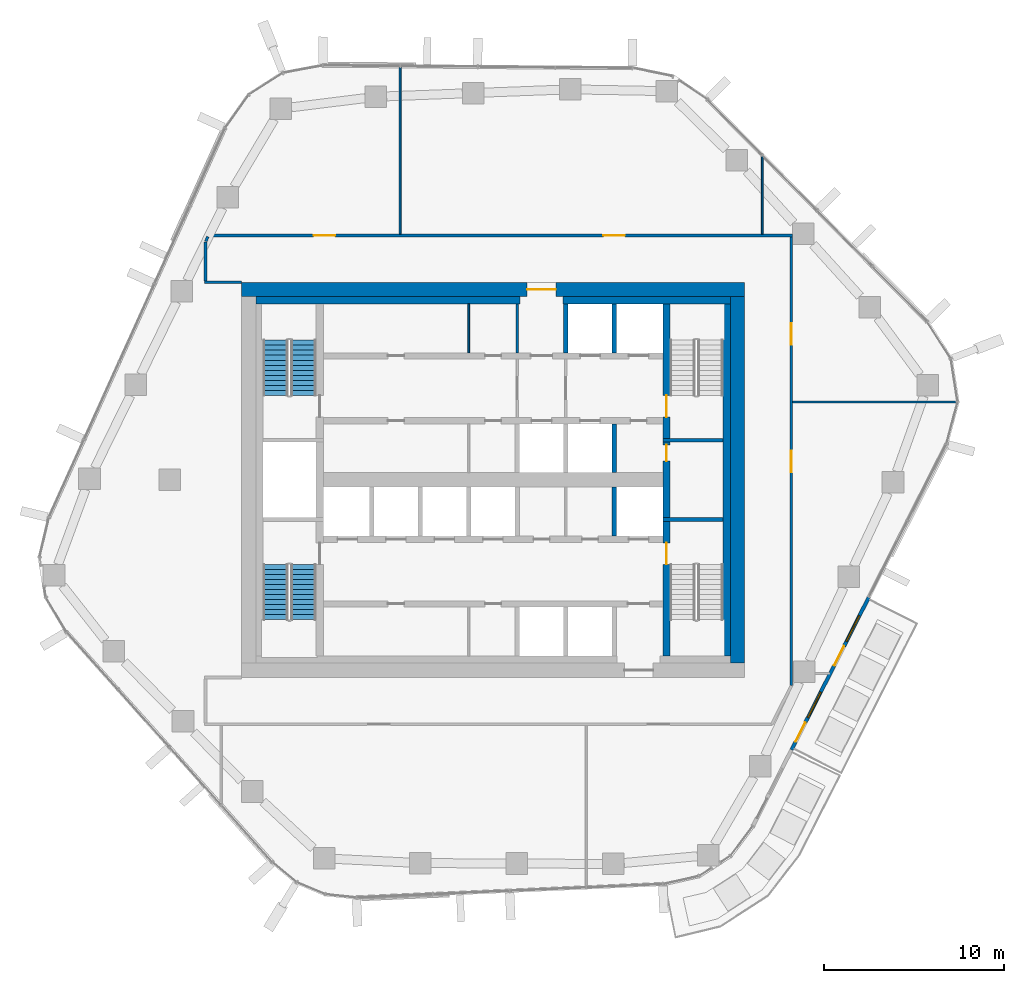
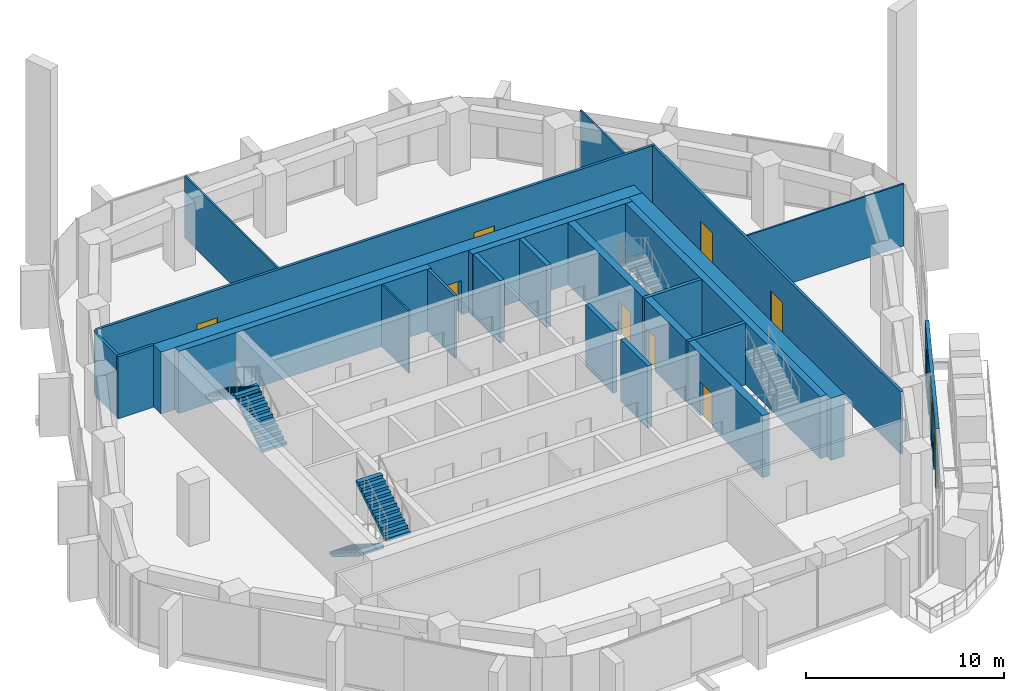
# One storey, part 12 of 18: 25 walls, 10 doors, 4 stair flights, 2 windows, 12 openings, 2 elements without a shape of their own.
"""IFC4 building model written with IfcOpenShell, lengths in metres."""

from ifc_helpers import new_model, si_unit, direction, frame, frame_2d, origin, place, context, subcontext, project, spatial, polyline, rectangle, outline, extrude, material, layer, layer_set, type_object, element, fill, aggregate, save


model = new_model("IFC4")

# Units and contexts
model_context = context("Model", 3, precision=1e-05, world=origin(), true_north=direction((0.0, 1.0)))
body_context = subcontext(model_context, "Body", "Model", "MODEL_VIEW")
ifc_project = project(units=[si_unit("LENGTHUNIT", "METRE"), si_unit("AREAUNIT", "SQUARE_METRE"), si_unit("VOLUMEUNIT", "CUBIC_METRE"), si_unit("PLANEANGLEUNIT", "RADIAN"), si_unit("MASSUNIT", "GRAM", prefix="KILO")], contexts=[model_context])

# Site, building, storey
site_placement = place(None, origin())
site = spatial("IfcSite", under=ifc_project, at=site_placement, CompositionType="ELEMENT")
building_placement = place(site_placement, origin())
building = spatial("IfcBuilding", under=site, at=building_placement, Name="Dongbaek Canopy Tower", CompositionType="ELEMENT")
storey_placement = place(building_placement, frame((0.0, 0.0, 171.199951171875)))
storey = spatial("IfcBuildingStorey", under=building, at=storey_placement, Name="L37", CompositionType="ELEMENT", Elevation=171.199951171875)

# Wall, opening, door
ifc_material_1 = material(Name="Concrete C70/85", Category="concrete")
ifc_layer_1 = layer(ifc_material_1, 0.800048828125)
ifc_layer_set_1 = layer_set([ifc_layer_1], Name="Core outer wall 800 Concrete C70/85")
wall_type_1 = type_object("IfcWallType", Name="Core outer wall 800 Concrete C70/85", PredefinedType="SHEAR", material=ifc_layer_set_1)
wall_1_placement = place(storey_placement, frame((-14.0, 10.60009765625, 0.0), z_axis=(0.0, 0.0, 1.0), x_axis=(1.0, 0.0, 0.0)))
wall_1 = element("IfcWall", 1, at=wall_1_placement, inside=storey, type_object=wall_type_1, Name="Core wall", PredefinedType="SHEAR", context=body_context, shape_type="SweptSolid", body=[
    extrude(rectangle(XDim=28.0, YDim=0.800048828125, at=frame_2d((14.0, 0.0))), origin(), (0.0, 0.0, 1.0), 3.820068359375),
])
opening_1_placement = place(wall_1_placement, frame((15.89990234375, 0.0, 0.0)))
opening_1 = element("IfcOpeningElement", 2, at=opening_1_placement, cuts=wall_1, Name="Opening L37-D008", PredefinedType="OPENING", context=body_context, shape_type="SweptSolid", body=[
    extrude(rectangle(XDim=1.60009765625, YDim=2.10009765625, at=frame_2d((0.800048828125, 1.050048828125))), frame((0.0, 0.409912109375, 0.0), z_axis=(0.0, -1.0, 0.0), x_axis=(1.0, 0.0, 0.0)), (0.0, 0.0, 1.0), 0.820068359375),
])
ifc_material_2 = material(Name="Steel", Category="steel")
door_type_1 = type_object("IfcDoorType", Name="Core exit door 1600 x 2100", OperationType="DOUBLE_DOOR_SINGLE_SWING", PredefinedType="DOOR", material=ifc_material_2)
door_1_placement = place(opening_1_placement, origin())
door_1 = element("IfcDoor", 3, at=door_1_placement, inside=storey, type_object=door_type_1, Name="Core exit door", OperationType="DOUBLE_DOOR_SINGLE_SWING", OverallHeight=2.10009765625, OverallWidth=1.60009765625, PredefinedType="DOOR", context=body_context, shape_type="SweptSolid", body=[
    extrude(rectangle(XDim=1.60009765625, YDim=2.10009765625, at=frame_2d((0.800048828125, 1.050048828125))), frame((0.0, 0.02490234375, 0.0), z_axis=(0.0, -1.0, 0.0), x_axis=(1.0, 0.0, 0.0)), (0.0, 0.0, 1.0), 0.050048828125),
])
fill(opening_1, door_1)

# Walls
wall_2_placement = place(storey_placement, frame((13.60009765625, 10.199951171875, 0.0), z_axis=(0.0, 0.0, 1.0), x_axis=(0.0, -1.0, 0.0)))
element("IfcWall", 4, at=wall_2_placement, inside=storey, type_object=wall_type_1, Name="Core wall", PredefinedType="SHEAR", context=body_context, shape_type="SweptSolid", body=[
    extrude(rectangle(XDim=20.39990234375, YDim=0.800048828125, at=frame_2d((10.199951171875, 0.0))), origin(), (0.0, 0.0, 1.0), 3.820068359375),
])
ifc_material_3 = material(Name="Concrete C60/75", Category="concrete")
ifc_layer_2 = layer(ifc_material_3, 0.39990234375)
ifc_layer_set_2 = layer_set([ifc_layer_2], Name="Core wall lining 400 Concrete C60/75")
wall_type_2 = type_object("IfcWallType", Name="Core wall lining 400 Concrete C60/75", PredefinedType="SHEAR", material=ifc_layer_set_2)
wall_3_placement = place(storey_placement, frame((-13.199951171875, 10.0, 0.0), z_axis=(0.0, 0.0, 1.0), x_axis=(1.0, 0.0, 0.0)))
element("IfcWall", 5, at=wall_3_placement, inside=storey, type_object=wall_type_2, Name="Core wall lining", PredefinedType="SHEAR", context=body_context, shape_type="SweptSolid", body=[
    extrude(rectangle(XDim=14.699951171875, YDim=0.39990234375, at=frame_2d((7.35009765625, 0.0))), origin(), (0.0, 0.0, 1.0), 3.820068359375),
])
wall_4_placement = place(storey_placement, frame((3.89990234375, 10.0, 0.0), z_axis=(0.0, 0.0, 1.0), x_axis=(1.0, 0.0, 0.0)))
element("IfcWall", 6, at=wall_4_placement, inside=storey, type_object=wall_type_2, Name="Core wall lining", PredefinedType="SHEAR", context=body_context, shape_type="SweptSolid", body=[
    extrude(rectangle(XDim=9.300048828125, YDim=0.39990234375, at=frame_2d((4.64990234375, 0.0))), origin(), (0.0, 0.0, 1.0), 3.820068359375),
])
wall_5_placement = place(storey_placement, frame((13.0, 9.800048828125, 0.0), z_axis=(0.0, 0.0, 1.0), x_axis=(0.0, -1.0, 0.0)))
element("IfcWall", 7, at=wall_5_placement, inside=storey, type_object=wall_type_2, Name="Core wall lining", PredefinedType="SHEAR", context=body_context, shape_type="SweptSolid", body=[
    extrude(rectangle(XDim=19.60009765625, YDim=0.39990234375, at=frame_2d((9.800048828125, 0.0))), origin(), (0.0, 0.0, 1.0), 3.820068359375),
])
ifc_material_4 = material(Name="Gypsum board partition, steel stud, 2 x 15 mm fire board", Category="steel")
ifc_layer_3 = layer(ifc_material_4, 0.14990234375)
ifc_layer_set_3 = layer_set([ifc_layer_3], Name="Fire-rated partition 150 gypsum board")
wall_type_3 = type_object("IfcWallType", Name="Fire-rated partition 150 gypsum board", PredefinedType="PARTITIONING", material=ifc_layer_set_3)
wall_6_placement = place(storey_placement, frame((-16.074951171875, 10.9990234375, 0.0), z_axis=(0.0, 0.0, 1.0), x_axis=(1.0, 0.0, 0.0)))
element("IfcWall", 8, at=wall_6_placement, inside=storey, type_object=wall_type_3, Name="Corridor partition", PredefinedType="PARTITIONING", context=body_context, shape_type="SweptSolid", body=[
    extrude(rectangle(XDim=2.074951171875, YDim=0.14990234375, at=frame_2d((1.03759765625, 0.0))), origin(), (0.0, 0.0, 1.0), 3.820068359375),
])

# Wall, openings, doors
wall_7_placement = place(storey_placement, frame((-15.841552734375, 13.60009765625, 0.0), z_axis=(0.0, 0.0, 1.0), x_axis=(1.0, 0.0, 0.0)))
wall_7 = element("IfcWall", 9, at=wall_7_placement, inside=storey, type_object=wall_type_3, Name="Corridor partition", PredefinedType="PARTITIONING", context=body_context, shape_type="SweptSolid", body=[
    extrude(rectangle(XDim=32.50244140625, YDim=0.14990234375, at=frame_2d((16.251220703125, 0.0))), origin(), (0.0, 0.0, 1.0), 3.820068359375),
])
opening_2_placement = place(wall_7_placement, frame((21.974365234375, 0.0, 0.0)))
opening_2 = element("IfcOpeningElement", 10, at=opening_2_placement, cuts=wall_7, Name="Opening L37-D005", PredefinedType="OPENING", context=body_context, shape_type="SweptSolid", body=[
    extrude(rectangle(XDim=1.199951171875, YDim=2.10009765625, at=frame_2d((0.60009765625, 1.050048828125))), frame((0.0, 0.0849609375, 0.0), z_axis=(0.0, -1.0, 0.0), x_axis=(1.0, 0.0, 0.0)), (0.0, 0.0, 1.0), 0.169921875),
])
opening_3_placement = place(wall_7_placement, frame((5.853759765625, 0.0, 0.0)))
opening_3 = element("IfcOpeningElement", 11, at=opening_3_placement, cuts=wall_7, Name="Opening L37-D006", PredefinedType="OPENING", context=body_context, shape_type="SweptSolid", body=[
    extrude(rectangle(XDim=1.199951171875, YDim=2.10009765625, at=frame_2d((0.60009765625, 1.050048828125))), frame((0.0, 0.0849609375, 0.0), z_axis=(0.0, -1.0, 0.0), x_axis=(1.0, 0.0, 0.0)), (0.0, 0.0, 1.0), 0.169921875),
])
ifc_material_5 = material(Name="Timber veneered door leaf", Category="wood")
door_type_2 = type_object("IfcDoorType", Name="Room door 1200 x 2100", OperationType="SINGLE_SWING_LEFT", PredefinedType="DOOR", material=ifc_material_5)
door_2_placement = place(opening_2_placement, origin())
door_2 = element("IfcDoor", 12, at=door_2_placement, inside=storey, type_object=door_type_2, Name="Door L37-D005", OperationType="SINGLE_SWING_RIGHT", OverallHeight=2.10009765625, OverallWidth=1.199951171875, PredefinedType="DOOR", context=body_context, shape_type="SweptSolid", body=[
    extrude(rectangle(XDim=1.199951171875, YDim=2.10009765625, at=frame_2d((0.60009765625, 1.050048828125))), frame((0.0, 0.02490234375, 0.0), z_axis=(0.0, -1.0, 0.0), x_axis=(1.0, 0.0, 0.0)), (0.0, 0.0, 1.0), 0.050048828125),
])
fill(opening_2, door_2)
door_3_placement = place(opening_3_placement, origin())
door_3 = element("IfcDoor", 13, at=door_3_placement, inside=storey, type_object=door_type_2, Name="Door L37-D006", OperationType="SINGLE_SWING_LEFT", OverallHeight=2.10009765625, OverallWidth=1.199951171875, PredefinedType="DOOR", context=body_context, shape_type="SweptSolid", body=[
    extrude(rectangle(XDim=1.199951171875, YDim=2.10009765625, at=frame_2d((0.60009765625, 1.050048828125))), frame((0.0, 0.02490234375, 0.0), z_axis=(0.0, -1.0, 0.0), x_axis=(1.0, 0.0, 0.0)), (0.0, 0.0, 1.0), 0.050048828125),
])
fill(opening_3, door_3)

# Wall
wall_8_placement = place(storey_placement, frame((-15.98681640625, 13.279541015625, 0.0), z_axis=(0.0, 0.0, 1.0), x_axis=(0.411842245902, 0.911255158828, 0.0)))
element("IfcWall", 14, at=wall_8_placement, inside=storey, type_object=wall_type_3, Name="Corridor partition", PredefinedType="PARTITIONING", context=body_context, shape_type="SweptSolid", body=[
    extrude(rectangle(XDim=0.281494140625, YDim=0.14990234375, at=frame_2d((0.140625, 0.0))), origin(), (0.0, 0.0, 1.0), 3.820068359375),
])

# Wall, openings, doors
wall_9_placement = place(storey_placement, frame((16.60009765625, 13.52490234375, 0.0), z_axis=(0.0, 0.0, 1.0), x_axis=(0.0, -1.0, 0.0)))
wall_9 = element("IfcWall", 15, at=wall_9_placement, inside=storey, type_object=wall_type_3, Name="Corridor partition", PredefinedType="PARTITIONING", context=body_context, shape_type="SweptSolid", body=[
    extrude(rectangle(XDim=24.974609375, YDim=0.14990234375, at=frame_2d((12.4873046875, 0.0))), origin(), (0.0, 0.0, 1.0), 3.820068359375),
])
opening_4_placement = place(wall_9_placement, frame((11.88818359375, 0.0, 0.0)))
opening_4 = element("IfcOpeningElement", 16, at=opening_4_placement, cuts=wall_9, Name="Opening L37-D003", PredefinedType="OPENING", context=body_context, shape_type="SweptSolid", body=[
    extrude(rectangle(XDim=1.199951171875, YDim=2.10009765625, at=frame_2d((0.60009765625, 1.050048828125))), frame((0.0, 0.0849609375, 0.0), z_axis=(0.0, -1.0, 0.0), x_axis=(1.0, 0.0, 0.0)), (0.0, 0.0, 1.0), 0.169921875),
])
opening_5_placement = place(wall_9_placement, frame((4.80810546875, 0.0, 0.0)))
opening_5 = element("IfcOpeningElement", 17, at=opening_5_placement, cuts=wall_9, Name="Opening L37-D004", PredefinedType="OPENING", context=body_context, shape_type="SweptSolid", body=[
    extrude(rectangle(XDim=1.199951171875, YDim=2.10009765625, at=frame_2d((0.60009765625, 1.050048828125))), frame((0.0, 0.0849609375, 0.0), z_axis=(0.0, -1.0, 0.0), x_axis=(1.0, 0.0, 0.0)), (0.0, 0.0, 1.0), 0.169921875),
])
door_4_placement = place(opening_4_placement, origin())
door_4 = element("IfcDoor", 18, at=door_4_placement, inside=storey, type_object=door_type_2, Name="Door L37-D003", OperationType="SINGLE_SWING_RIGHT", OverallHeight=2.10009765625, OverallWidth=1.199951171875, PredefinedType="DOOR", context=body_context, shape_type="SweptSolid", body=[
    extrude(rectangle(XDim=1.199951171875, YDim=2.10009765625, at=frame_2d((0.60009765625, 1.050048828125))), frame((0.0, 0.02490234375, 0.0), z_axis=(0.0, -1.0, 0.0), x_axis=(1.0, 0.0, 0.0)), (0.0, 0.0, 1.0), 0.050048828125),
])
fill(opening_4, door_4)
door_5_placement = place(opening_5_placement, origin())
door_5 = element("IfcDoor", 19, at=door_5_placement, inside=storey, type_object=door_type_2, Name="Door L37-D004", OperationType="SINGLE_SWING_LEFT", OverallHeight=2.10009765625, OverallWidth=1.199951171875, PredefinedType="DOOR", context=body_context, shape_type="SweptSolid", body=[
    extrude(rectangle(XDim=1.199951171875, YDim=2.10009765625, at=frame_2d((0.60009765625, 1.050048828125))), frame((0.0, 0.02490234375, 0.0), z_axis=(0.0, -1.0, 0.0), x_axis=(1.0, 0.0, 0.0)), (0.0, 0.0, 1.0), 0.050048828125),
])
fill(opening_5, door_5)

# Walls
wall_10_placement = place(storey_placement, frame((-16.0, 11.073974609375, 0.0), z_axis=(0.0, 0.0, 1.0), x_axis=(0.0, 1.0, 0.0)))
element("IfcWall", 20, at=wall_10_placement, inside=storey, type_object=wall_type_3, Name="Corridor partition", PredefinedType="PARTITIONING", context=body_context, shape_type="SweptSolid", body=[
    extrude(rectangle(XDim=2.175537109375, YDim=0.14990234375, at=frame_2d((1.087890625, 0.0))), origin(), (0.0, 0.0, 1.0), 3.820068359375),
])
wall_11_placement = place(storey_placement, frame((1.35009765625, 7.074951171875, 0.0), z_axis=(0.0, 0.0, 1.0), x_axis=(0.0, 1.0, 0.0)))
element("IfcWall", 21, at=wall_11_placement, inside=storey, type_object=wall_type_3, Name="Fire lobby partition", PredefinedType="PARTITIONING", context=body_context, shape_type="SweptSolid", body=[
    extrude(rectangle(XDim=2.72509765625, YDim=0.14990234375, at=frame_2d((1.362548828125, 0.0))), origin(), (0.0, 0.0, 1.0), 3.820068359375),
])
ifc_material_6 = material(Name="Concrete C40/50", Category="concrete")
ifc_layer_4 = layer(ifc_material_6, 0.25)
ifc_layer_set_4 = layer_set([ifc_layer_4], Name="Lift shaft wall 250 Concrete C40/50")
wall_type_4 = type_object("IfcWallType", Name="Lift shaft wall 250 Concrete C40/50", PredefinedType="SOLIDWALL", material=ifc_layer_set_4)
for number, where, z_axis, x_axis, name in (
    (22, (6.75, -3.125, 0.0), (0.0, 0.0, 1.0), (0.0, 1.0, 0.0), "Lift shaft wall"),
    (23, (6.75, 0.39990234375, 0.0), (0.0, 0.0, 1.0), (0.0, 1.0, 0.0), "Lift shaft wall"),
    (24, (6.75, 7.074951171875, 0.0), (0.0, 0.0, 1.0), (0.0, 1.0, 0.0), "Lift shaft wall"),
    (25, (4.050048828125, 7.074951171875, 0.0), (0.0, 0.0, 1.0), (0.0, 1.0, 0.0), "Lift shaft wall"),
):
    element("IfcWall", number, at=place(storey_placement, frame(where, z_axis=z_axis, x_axis=x_axis)), inside=storey, type_object=wall_type_4, Name=name, PredefinedType="SOLIDWALL", context=body_context, shape_type="SweptSolid", body=[
        extrude(rectangle(XDim=2.72509765625, YDim=0.25, at=frame_2d((1.362548828125, 0.0))), origin(), (0.0, 0.0, 1.0), 3.820068359375),
    ])
ifc_material_7 = material(Name="Gypsum board partition, steel stud, 2 x 12.5 mm board", Category="steel")
ifc_layer_5 = layer(ifc_material_7, 0.10009765625)
ifc_layer_set_5 = layer_set([ifc_layer_5], Name="Partition 100 gypsum board")
wall_type_5 = type_object("IfcWallType", Name="Partition 100 gypsum board", PredefinedType="PARTITIONING", material=ifc_layer_set_5)
wall_12_placement = place(storey_placement, frame((16.675048828125, 4.340087890625, 0.0), z_axis=(0.0, 0.0, 1.0), x_axis=(1.0, 0.0, 0.0)))
element("IfcWall", 26, at=wall_12_placement, inside=storey, type_object=wall_type_5, Name="Partition", PredefinedType="PARTITIONING", context=body_context, shape_type="SweptSolid", body=[
    extrude(rectangle(XDim=9.154296875, YDim=0.10009765625, at=frame_2d((4.5771484375, 0.0))), origin(), (0.0, 0.0, 1.0), 3.820068359375),
])
wall_13_placement = place(storey_placement, frame((14.97509765625, 13.675048828125, 0.0), z_axis=(0.0, 0.0, 1.0), x_axis=(0.0, 1.0, 0.0)))
element("IfcWall", 27, at=wall_13_placement, inside=storey, type_object=wall_type_5, Name="Partition", PredefinedType="PARTITIONING", context=body_context, shape_type="SweptSolid", body=[
    extrude(rectangle(XDim=4.378662109375, YDim=0.10009765625, at=frame_2d((2.189453125, 0.0))), origin(), (0.0, 0.0, 1.0), 3.820068359375),
])
wall_14_placement = place(storey_placement, frame((-5.173095703125, 13.675048828125, 0.0), z_axis=(0.0, 0.0, 1.0), x_axis=(0.0, 1.0, 0.0)))
element("IfcWall", 28, at=wall_14_placement, inside=storey, type_object=wall_type_5, Name="Partition", PredefinedType="PARTITIONING", context=body_context, shape_type="SweptSolid", body=[
    extrude(rectangle(XDim=9.33349609375, YDim=0.10009765625, at=frame_2d((4.666748046875, 0.0))), origin(), (0.0, 0.0, 1.0), 3.820068359375),
])
wall_15_placement = place(storey_placement, frame((-1.35009765625, 7.074951171875, 0.0), z_axis=(0.0, 0.0, 1.0), x_axis=(0.0, 1.0, 0.0)))
element("IfcWall", 29, at=wall_15_placement, inside=storey, type_object=wall_type_5, Name="Core partition", PredefinedType="PARTITIONING", context=body_context, shape_type="SweptSolid", body=[
    extrude(rectangle(XDim=2.72509765625, YDim=0.10009765625, at=frame_2d((1.362548828125, 0.0))), origin(), (0.0, 0.0, 1.0), 3.820068359375),
])
ifc_material_8 = material(Name="Concrete C60/75", Category="concrete")
ifc_layer_6 = layer(ifc_material_8, 0.199951171875)
ifc_layer_set_6 = layer_set([ifc_layer_6], Name="Riser wall 200 Concrete C60/75")
wall_type_6 = type_object("IfcWallType", Name="Riser wall 200 Concrete C60/75", PredefinedType="SHEAR", material=ifc_layer_set_6)
for number, where, z_axis, x_axis, name in (
    (30, (9.449951171875, 2.199951171875, 0.0), (0.0, 0.0, 1.0), (1.0, 0.0, 0.0), "Riser wall"),
    (31, (9.449951171875, -2.199951171875, 0.0), (0.0, 0.0, 1.0), (1.0, 0.0, 0.0), "Riser wall"),
):
    element("IfcWall", number, at=place(storey_placement, frame(where, z_axis=z_axis, x_axis=x_axis)), inside=storey, type_object=wall_type_6, Name=name, PredefinedType="SHEAR", context=body_context, shape_type="SweptSolid", body=[
        extrude(rectangle(XDim=3.35009765625, YDim=0.199951171875, at=frame_2d((1.675048828125, 0.0))), origin(), (0.0, 0.0, 1.0), 3.820068359375),
    ])

# Wall, opening, door
ifc_material_9 = material(Name="Concrete C60/75", Category="concrete")
ifc_layer_7 = layer(ifc_material_9, 0.39990234375)
ifc_layer_set_7 = layer_set([ifc_layer_7], Name="Stair wall 400 Concrete C60/75")
wall_type_7 = type_object("IfcWallType", Name="Stair wall 400 Concrete C60/75", PredefinedType="SHEAR", material=ifc_layer_set_7)
wall_16_placement = place(storey_placement, frame((9.64990234375, -2.300048828125, 0.0), z_axis=(0.0, 0.0, 1.0), x_axis=(0.0, -1.0, 0.0)))
wall_16 = element("IfcWall", 32, at=wall_16_placement, inside=storey, type_object=wall_type_7, Name="Stair wall", PredefinedType="SHEAR", context=body_context, shape_type="SweptSolid", body=[
    extrude(rectangle(XDim=7.5, YDim=0.39990234375, at=frame_2d((3.75, 0.0))), origin(), (0.0, 0.0, 1.0), 3.820068359375),
])
opening_6_placement = place(wall_16_placement, frame((1.199951171875, 0.0, 0.0)))
opening_6 = element("IfcOpeningElement", 33, at=opening_6_placement, cuts=wall_16, Name="Opening L37-D032", PredefinedType="OPENING", context=body_context, shape_type="SweptSolid", body=[
    extrude(rectangle(XDim=1.199951171875, YDim=2.10009765625, at=frame_2d((0.60009765625, 1.050048828125))), frame((0.0, 0.2099609375, 0.0), z_axis=(0.0, -1.0, 0.0), x_axis=(1.0, 0.0, 0.0)), (0.0, 0.0, 1.0), 0.419921875),
])
ifc_material_10 = material(Name="Steel", Category="steel")
door_type_3 = type_object("IfcDoorType", Name="Stair door 1200 x 2100", OperationType="SINGLE_SWING_LEFT", PredefinedType="DOOR", material=ifc_material_10)
door_6_placement = place(opening_6_placement, origin())
door_6 = element("IfcDoor", 34, at=door_6_placement, inside=storey, type_object=door_type_3, Name="Stair B door", OperationType="SINGLE_SWING_RIGHT", OverallHeight=2.10009765625, OverallWidth=1.199951171875, PredefinedType="DOOR", context=body_context, shape_type="SweptSolid", body=[
    extrude(rectangle(XDim=1.199951171875, YDim=2.10009765625, at=frame_2d((0.60009765625, 1.050048828125))), frame((0.0, 0.02490234375, 0.0), z_axis=(0.0, -1.0, 0.0), x_axis=(1.0, 0.0, 0.0)), (0.0, 0.0, 1.0), 0.050048828125),
])
fill(opening_6, door_6)

wall_17_placement = place(storey_placement, frame((9.64990234375, 2.10009765625, 0.0), z_axis=(0.0, 0.0, 1.0), x_axis=(0.0, -1.0, 0.0)))
wall_17 = element("IfcWall", 35, at=wall_17_placement, inside=storey, type_object=wall_type_7, Name="Stair wall", PredefinedType="SHEAR", context=body_context, shape_type="SweptSolid", body=[
    extrude(rectangle(XDim=4.2001953125, YDim=0.39990234375, at=frame_2d((2.10009765625, 0.0))), origin(), (0.0, 0.0, 1.0), 3.820068359375),
])
opening_7_placement = place(wall_17_placement, frame((0.14990234375, 0.0, 0.0)))
opening_7 = element("IfcOpeningElement", 36, at=opening_7_placement, cuts=wall_17, Name="Opening L37-D007", PredefinedType="OPENING", context=body_context, shape_type="SweptSolid", body=[
    extrude(rectangle(XDim=0.89990234375, YDim=2.10009765625, at=frame_2d((0.449951171875, 1.050048828125))), frame((0.0, 0.2099609375, 0.0), z_axis=(0.0, -1.0, 0.0), x_axis=(1.0, 0.0, 0.0)), (0.0, 0.0, 1.0), 0.419921875),
])
ifc_material_11 = material(Name="Steel", Category="steel")
door_type_4 = type_object("IfcDoorType", Name="Core room door 900 x 2100", OperationType="SINGLE_SWING_LEFT", PredefinedType="DOOR", material=ifc_material_11)
door_7_placement = place(opening_7_placement, origin())
door_7 = element("IfcDoor", 37, at=door_7_placement, inside=storey, type_object=door_type_4, Name="Door L37-D007", OperationType="SINGLE_SWING_RIGHT", OverallHeight=2.10009765625, OverallWidth=0.89990234375, PredefinedType="DOOR", context=body_context, shape_type="SweptSolid", body=[
    extrude(rectangle(XDim=0.89990234375, YDim=2.10009765625, at=frame_2d((0.449951171875, 1.050048828125))), frame((0.0, 0.02490234375, 0.0), z_axis=(0.0, -1.0, 0.0), x_axis=(1.0, 0.0, 0.0)), (0.0, 0.0, 1.0), 0.050048828125),
])
fill(opening_7, door_7)

wall_18_placement = place(storey_placement, frame((9.64990234375, 9.800048828125, 0.0), z_axis=(0.0, 0.0, 1.0), x_axis=(0.0, -1.0, 0.0)))
wall_18 = element("IfcWall", 38, at=wall_18_placement, inside=storey, type_object=wall_type_7, Name="Stair wall", PredefinedType="SHEAR", context=body_context, shape_type="SweptSolid", body=[
    extrude(rectangle(XDim=7.5, YDim=0.39990234375, at=frame_2d((3.75, 0.0))), origin(), (0.0, 0.0, 1.0), 3.820068359375),
])
opening_8_placement = place(wall_18_placement, frame((5.10009765625, 0.0, 0.0)))
opening_8 = element("IfcOpeningElement", 39, at=opening_8_placement, cuts=wall_18, Name="Opening L37-D030", PredefinedType="OPENING", context=body_context, shape_type="SweptSolid", body=[
    extrude(rectangle(XDim=1.199951171875, YDim=2.10009765625, at=frame_2d((0.60009765625, 1.050048828125))), frame((0.0, 0.2099609375, 0.0), z_axis=(0.0, -1.0, 0.0), x_axis=(1.0, 0.0, 0.0)), (0.0, 0.0, 1.0), 0.419921875),
])
door_8_placement = place(opening_8_placement, origin())
door_8 = element("IfcDoor", 40, at=door_8_placement, inside=storey, type_object=door_type_3, Name="Stair A door", OperationType="SINGLE_SWING_LEFT", OverallHeight=2.10009765625, OverallWidth=1.199951171875, PredefinedType="DOOR", context=body_context, shape_type="SweptSolid", body=[
    extrude(rectangle(XDim=1.199951171875, YDim=2.10009765625, at=frame_2d((0.60009765625, 1.050048828125))), frame((0.0, 0.02490234375, 0.0), z_axis=(0.0, -1.0, 0.0), x_axis=(1.0, 0.0, 0.0)), (0.0, 0.0, 1.0), 0.050048828125),
])
fill(opening_8, door_8)

# Wall, openings, doors, windows
ifc_material_12 = material(Name="Aluminium window wall", Category="aluminium")
ifc_layer_8 = layer(ifc_material_12, 0.199951171875)
ifc_layer_set_8 = layer_set([ifc_layer_8], Name="Window wall 200")
wall_type_8 = type_object("IfcWallType", Name="Window wall 200", PredefinedType="SOLIDWALL", material=ifc_layer_set_8)
wall_19_placement = place(storey_placement, frame((16.60791015625, -15.01806640625, 0.0), z_axis=(0.0, 0.0, 1.0), x_axis=(0.452002844598, 0.89201649563, 0.0)))
wall_19 = element("IfcWall", 41, at=wall_19_placement, inside=storey, type_object=wall_type_8, Name="Window wall L37 1", PredefinedType="SOLIDWALL", context=body_context, shape_type="SweptSolid", body=[
    extrude(rectangle(XDim=9.530029296875, YDim=0.199951171875, at=frame_2d((4.76513671875, 0.0))), origin(), (0.0, 0.0, 1.0), 3.699951171875),
])
opening_9_placement = place(wall_19_placement, frame((2.0, 0.0, 0.60009765625)))
opening_9 = element("IfcOpeningElement", 42, at=opening_9_placement, cuts=wall_19, Name="Opening W1", PredefinedType="OPENING", context=body_context, shape_type="SweptSolid", body=[
    extrude(rectangle(XDim=1.60009765625, YDim=2.39990234375, at=frame_2d((0.800048828125, 1.199951171875))), frame((0.0, 0.10986328125, 0.0), z_axis=(0.0, -1.0, 0.0), x_axis=(1.0, 0.0, 0.0)), (0.0, 0.0, 1.0), 0.219970703125),
])
opening_10_placement = place(wall_19_placement, frame((0.5, 0.0, 0.0)))
opening_10 = element("IfcOpeningElement", 43, at=opening_10_placement, cuts=wall_19, Name="Opening L37-B01", PredefinedType="OPENING", context=body_context, shape_type="SweptSolid", body=[
    extrude(rectangle(XDim=1.199951171875, YDim=2.39990234375, at=frame_2d((0.60009765625, 1.199951171875))), frame((0.0, 0.10986328125, 0.0), z_axis=(0.0, -1.0, 0.0), x_axis=(1.0, 0.0, 0.0)), (0.0, 0.0, 1.0), 0.219970703125),
])
opening_11_placement = place(wall_19_placement, frame((6.76513671875, 0.0, 0.60009765625)))
opening_11 = element("IfcOpeningElement", 44, at=opening_11_placement, cuts=wall_19, Name="Opening W1", PredefinedType="OPENING", context=body_context, shape_type="SweptSolid", body=[
    extrude(rectangle(XDim=1.60009765625, YDim=2.39990234375, at=frame_2d((0.800048828125, 1.199951171875))), frame((0.0, 0.10986328125, 0.0), z_axis=(0.0, -1.0, 0.0), x_axis=(1.0, 0.0, 0.0)), (0.0, 0.0, 1.0), 0.219970703125),
])
opening_12_placement = place(wall_19_placement, frame((5.26513671875, 0.0, 0.0)))
opening_12 = element("IfcOpeningElement", 45, at=opening_12_placement, cuts=wall_19, Name="Opening L37-B02", PredefinedType="OPENING", context=body_context, shape_type="SweptSolid", body=[
    extrude(rectangle(XDim=1.199951171875, YDim=2.39990234375, at=frame_2d((0.60009765625, 1.199951171875))), frame((0.0, 0.10986328125, 0.0), z_axis=(0.0, -1.0, 0.0), x_axis=(1.0, 0.0, 0.0)), (0.0, 0.0, 1.0), 0.219970703125),
])
ifc_material_13 = material(Name="Clear glazing in aluminium frame", Category="aluminium")
door_type_5 = type_object("IfcDoorType", Name="Balcony door BD1 1200 x 2400", OperationType="SLIDING_TO_LEFT", PredefinedType="DOOR", material=ifc_material_13)
door_9_placement = place(opening_10_placement, origin())
door_9 = element("IfcDoor", 46, at=door_9_placement, inside=storey, type_object=door_type_5, Name="Balcony door L37-B01", OperationType="SLIDING_TO_LEFT", OverallHeight=2.39990234375, OverallWidth=1.199951171875, PredefinedType="DOOR", context=body_context, shape_type="SweptSolid", body=[
    extrude(rectangle(XDim=1.199951171875, YDim=2.39990234375, at=frame_2d((0.60009765625, 1.199951171875))), frame((0.0, 0.02490234375, 0.0), z_axis=(0.0, -1.0, 0.0), x_axis=(1.0, 0.0, 0.0)), (0.0, 0.0, 1.0), 0.050048828125),
])
fill(opening_10, door_9)
door_10_placement = place(opening_12_placement, origin())
door_10 = element("IfcDoor", 47, at=door_10_placement, inside=storey, type_object=door_type_5, Name="Balcony door L37-B02", OperationType="SLIDING_TO_LEFT", OverallHeight=2.39990234375, OverallWidth=1.199951171875, PredefinedType="DOOR", context=body_context, shape_type="SweptSolid", body=[
    extrude(rectangle(XDim=1.199951171875, YDim=2.39990234375, at=frame_2d((0.60009765625, 1.199951171875))), frame((0.0, 0.02490234375, 0.0), z_axis=(0.0, -1.0, 0.0), x_axis=(1.0, 0.0, 0.0)), (0.0, 0.0, 1.0), 0.050048828125),
])
fill(opening_12, door_10)
ifc_material_14 = material(Name="Clear glazing in aluminium frame", Category="aluminium")
window_type = type_object("IfcWindowType", Name="Window W1 1600 x 2400", PartitioningType="SINGLE_PANEL", PredefinedType="WINDOW", material=ifc_material_14)
window_1_placement = place(opening_9_placement, origin())
window_1 = element("IfcWindow", 48, at=window_1_placement, inside=storey, type_object=window_type, Name="Window L37 1.1", OverallHeight=2.39990234375, OverallWidth=1.60009765625, PartitioningType="SINGLE_PANEL", PredefinedType="WINDOW", context=body_context, shape_type="SweptSolid", body=[
    extrude(rectangle(XDim=1.60009765625, YDim=2.39990234375, at=frame_2d((0.800048828125, 1.199951171875))), frame((0.0, 0.030029296875, 0.0), z_axis=(0.0, -1.0, 0.0), x_axis=(1.0, 0.0, 0.0)), (0.0, 0.0, 1.0), 0.06005859375),
])
fill(opening_9, window_1)
window_2_placement = place(opening_11_placement, origin())
window_2 = element("IfcWindow", 49, at=window_2_placement, inside=storey, type_object=window_type, Name="Window L37 1.2", OverallHeight=2.39990234375, OverallWidth=1.60009765625, PartitioningType="SINGLE_PANEL", PredefinedType="WINDOW", context=body_context, shape_type="SweptSolid", body=[
    extrude(rectangle(XDim=1.60009765625, YDim=2.39990234375, at=frame_2d((0.800048828125, 1.199951171875))), frame((0.0, 0.030029296875, 0.0), z_axis=(0.0, -1.0, 0.0), x_axis=(1.0, 0.0, 0.0)), (0.0, 0.0, 1.0), 0.06005859375),
])
fill(opening_11, window_2)

# Stair, stair flights
ifc_material_15 = material(Name="Concrete C40/50", Category="concrete")
stair_type = type_object("IfcStairType", Name="Core exit stair", PredefinedType="HALF_TURN_STAIR", material=ifc_material_15)
stair_1_placement = place(storey_placement, origin())
stair_1 = element("IfcStair", 50, at=stair_1_placement, inside=storey, type_object=stair_type, Name="L37 exit stair C", PredefinedType="HALF_TURN_STAIR")
ifc_material_16 = material(Name="Concrete C40/50", Category="concrete")
ifc_layer_9 = layer(ifc_material_16, 0.14990234375)
ifc_layer_set_9 = layer_set([ifc_layer_9], Name="Core stair flight 150 waist")
stair_flight_type = type_object("IfcStairFlightType", Name="Core stair flight 150 waist", PredefinedType="STRAIGHT", material=ifc_layer_set_9)
stair_flight_1_placement = place(storey_placement, frame((-10.550048828125, 4.699951171875, 0.0), z_axis=(0.0, 0.0, 1.0), x_axis=(0.0, 1.0, 0.0)))
stair_flight_1 = element("IfcStairFlight", 51, at=stair_flight_1_placement, type_object=stair_flight_type, Name="ST-C flight 1", NumberOfRisers=12, NumberOfTreads=11, PredefinedType="STRAIGHT", RiserHeight=0.175, TreadLength=0.28, context=body_context, shape_type="SweptSolid", body=[
    extrude(outline(polyline([(0.0, 0.0), (0.0, 0.175048828125), (0.280029296875, 0.175048828125), (0.280029296875, 0.35009765625), (0.56005859375, 0.35009765625), (0.56005859375, 0.52490234375), (0.840087890625, 0.52490234375), (0.840087890625, 0.699951171875), (1.1201171875, 0.699951171875), (1.1201171875, 0.875), (1.39990234375, 0.875), (1.39990234375, 1.050048828125), (1.679931640625, 1.050048828125), (1.679931640625, 1.22509765625), (1.9599609375, 1.22509765625), (1.9599609375, 1.39990234375), (2.239990234375, 1.39990234375), (2.239990234375, 1.574951171875), (2.52001953125, 1.574951171875), (2.52001953125, 1.75), (2.800048828125, 1.75), (2.800048828125, 1.925048828125), (3.080078125, 1.925048828125), (3.080078125, 2.10009765625), (3.080078125, 1.748291015625), (0.28271484375, 0.0), (0.0, 0.0)])), frame((0.0, 0.699951171875, 0.0), z_axis=(0.0, -1.0, 0.0), x_axis=(1.0, 0.0, 0.0)), (0.0, 0.0, 1.0), 1.39990234375),
])
stair_flight_2_placement = place(storey_placement, frame((-12.10009765625, 7.780029296875, 2.10009765625), z_axis=(0.0, 0.0, 1.0), x_axis=(0.0, -1.0, 0.0)))
stair_flight_2 = element("IfcStairFlight", 52, at=stair_flight_2_placement, type_object=stair_flight_type, Name="ST-C flight 2", NumberOfRisers=12, NumberOfTreads=11, PredefinedType="STRAIGHT", RiserHeight=0.175, TreadLength=0.28, context=body_context, shape_type="SweptSolid", body=[
    extrude(outline(polyline([(0.0, 0.0), (0.0, 0.175048828125), (0.280029296875, 0.175048828125), (0.280029296875, 0.35009765625), (0.56005859375, 0.35009765625), (0.56005859375, 0.52490234375), (0.840087890625, 0.52490234375), (0.840087890625, 0.699951171875), (1.1201171875, 0.699951171875), (1.1201171875, 0.875), (1.39990234375, 0.875), (1.39990234375, 1.050048828125), (1.679931640625, 1.050048828125), (1.679931640625, 1.22509765625), (1.9599609375, 1.22509765625), (1.9599609375, 1.39990234375), (2.239990234375, 1.39990234375), (2.239990234375, 1.574951171875), (2.52001953125, 1.574951171875), (2.52001953125, 1.75), (2.800048828125, 1.75), (2.800048828125, 1.925048828125), (3.080078125, 1.925048828125), (3.080078125, 2.10009765625), (3.080078125, 1.748291015625), (0.28271484375, 0.0), (0.0, 0.0)])), frame((0.0, 0.699951171875, 0.0), z_axis=(0.0, -1.0, 0.0), x_axis=(1.0, 0.0, 0.0)), (0.0, 0.0, 1.0), 1.39990234375),
])
aggregate(stair_1, [stair_flight_1, stair_flight_2])

stair_2_placement = place(storey_placement, origin())
stair_2 = element("IfcStair", 53, at=stair_2_placement, inside=storey, type_object=stair_type, Name="L37 exit stair D", PredefinedType="HALF_TURN_STAIR")
stair_flight_3_placement = place(storey_placement, frame((-12.10009765625, -4.699951171875, 0.0), z_axis=(0.0, 0.0, 1.0), x_axis=(0.0, -1.0, 0.0)))
stair_flight_3 = element("IfcStairFlight", 54, at=stair_flight_3_placement, type_object=stair_flight_type, Name="ST-D flight 1", NumberOfRisers=12, NumberOfTreads=11, PredefinedType="STRAIGHT", RiserHeight=0.175, TreadLength=0.28, context=body_context, shape_type="SweptSolid", body=[
    extrude(outline(polyline([(0.0, 0.0), (0.0, 0.175048828125), (0.280029296875, 0.175048828125), (0.280029296875, 0.35009765625), (0.56005859375, 0.35009765625), (0.56005859375, 0.52490234375), (0.840087890625, 0.52490234375), (0.840087890625, 0.699951171875), (1.1201171875, 0.699951171875), (1.1201171875, 0.875), (1.39990234375, 0.875), (1.39990234375, 1.050048828125), (1.679931640625, 1.050048828125), (1.679931640625, 1.22509765625), (1.9599609375, 1.22509765625), (1.9599609375, 1.39990234375), (2.239990234375, 1.39990234375), (2.239990234375, 1.574951171875), (2.52001953125, 1.574951171875), (2.52001953125, 1.75), (2.800048828125, 1.75), (2.800048828125, 1.925048828125), (3.080078125, 1.925048828125), (3.080078125, 2.10009765625), (3.080078125, 1.748291015625), (0.28271484375, 0.0), (0.0, 0.0)])), frame((0.0, 0.699951171875, 0.0), z_axis=(0.0, -1.0, 0.0), x_axis=(1.0, 0.0, 0.0)), (0.0, 0.0, 1.0), 1.39990234375),
])
stair_flight_4_placement = place(storey_placement, frame((-10.550048828125, -7.780029296875, 2.10009765625), z_axis=(0.0, 0.0, 1.0), x_axis=(0.0, 1.0, 0.0)))
stair_flight_4 = element("IfcStairFlight", 55, at=stair_flight_4_placement, type_object=stair_flight_type, Name="ST-D flight 2", NumberOfRisers=12, NumberOfTreads=11, PredefinedType="STRAIGHT", RiserHeight=0.175, TreadLength=0.28, context=body_context, shape_type="SweptSolid", body=[
    extrude(outline(polyline([(0.0, 0.0), (0.0, 0.175048828125), (0.280029296875, 0.175048828125), (0.280029296875, 0.35009765625), (0.56005859375, 0.35009765625), (0.56005859375, 0.52490234375), (0.840087890625, 0.52490234375), (0.840087890625, 0.699951171875), (1.1201171875, 0.699951171875), (1.1201171875, 0.875), (1.39990234375, 0.875), (1.39990234375, 1.050048828125), (1.679931640625, 1.050048828125), (1.679931640625, 1.22509765625), (1.9599609375, 1.22509765625), (1.9599609375, 1.39990234375), (2.239990234375, 1.39990234375), (2.239990234375, 1.574951171875), (2.52001953125, 1.574951171875), (2.52001953125, 1.75), (2.800048828125, 1.75), (2.800048828125, 1.925048828125), (3.080078125, 1.925048828125), (3.080078125, 2.10009765625), (3.080078125, 1.748291015625), (0.28271484375, 0.0), (0.0, 0.0)])), frame((0.0, 0.699951171875, 0.0), z_axis=(0.0, -1.0, 0.0), x_axis=(1.0, 0.0, 0.0)), (0.0, 0.0, 1.0), 1.39990234375),
])
aggregate(stair_2, [stair_flight_3, stair_flight_4])

save(model, "model.ifc")
